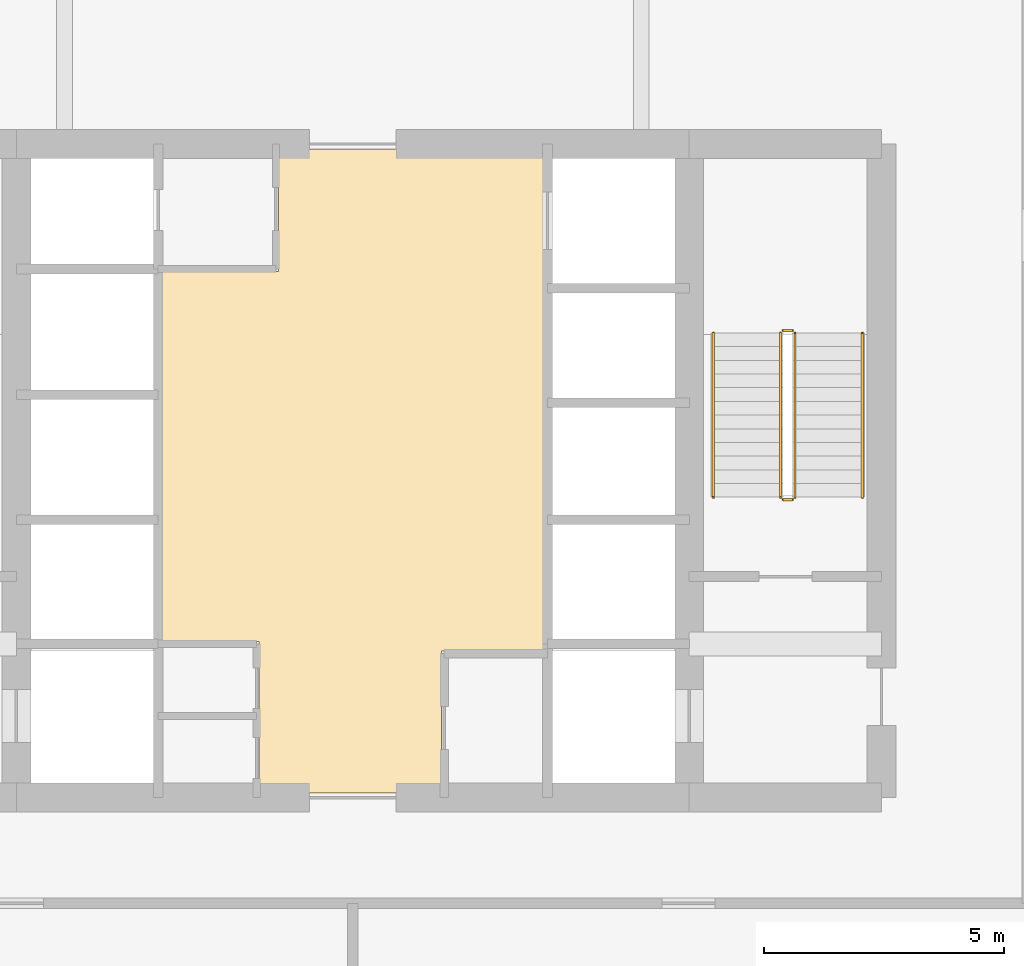
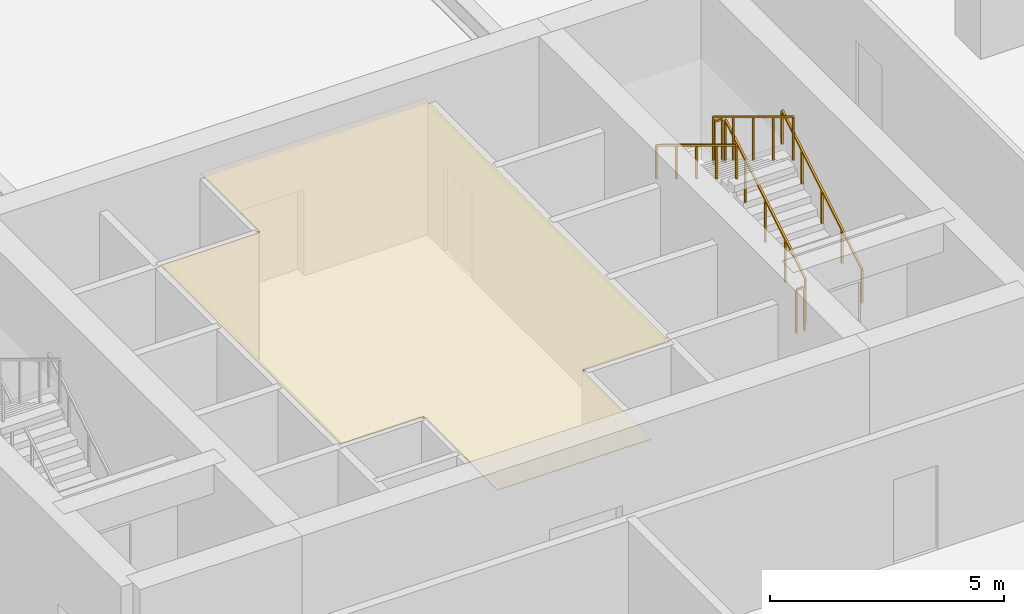
# One storey, part 9 of 11: 6 railings, 1 covering.
"""IFC4 building model written with IfcOpenShell, lengths in metres."""

from ifc_helpers import new_model, si_unit, direction, frame, origin, origin_2d, place, context, subcontext, project, spatial, polyline, rectangle, outline, extrude, material, layer, layer_set, type_object, element, save


model = new_model("IFC4")

# Units and contexts
model_context = context("Model", 3, precision=1e-05, world=origin(), true_north=direction((0.0, 1.0)))
body_context = subcontext(model_context, "Body", "Model", "MODEL_VIEW")
ifc_project = project(units=[si_unit("LENGTHUNIT", "METRE"), si_unit("AREAUNIT", "SQUARE_METRE"), si_unit("VOLUMEUNIT", "CUBIC_METRE"), si_unit("PLANEANGLEUNIT", "RADIAN"), si_unit("MASSUNIT", "GRAM", prefix="KILO")], contexts=[model_context])

# Site, building, storey
site_placement = place(None, origin())
site = spatial("IfcSite", under=ifc_project, at=site_placement, CompositionType="ELEMENT")
building_placement = place(site_placement, origin())
building = spatial("IfcBuilding", under=site, at=building_placement, Name="Sarneth Arch Tower", CompositionType="ELEMENT")
storey_placement = place(building_placement, frame((0.0, 0.0, -4.5)))
storey = spatial("IfcBuildingStorey", under=building, at=storey_placement, Name="B01", CompositionType="ELEMENT", Elevation=-4.5)

# Covering
ifc_material_1 = material(Name="Perforated acoustic gypsum ceiling board")
ifc_layer = layer(ifc_material_1, 0.02490234375)
ifc_layer_set = layer_set([ifc_layer], Name="Perforated acoustic gypsum ceiling board")
covering_type = type_object("IfcCoveringType", Name="COV-CEIL-GYP", PredefinedType="CEILING", material=ifc_layer_set)
covering_placement = place(storey_placement, frame((0.0, 0.0, 3.389892578125)))
element("IfcCovering", 1, at=covering_placement, inside=storey, type_object=covering_type, Name="B01 Lift lobby acoustic ceiling", PredefinedType="CEILING", context=body_context, shape_type="SweptSolid", body=[
    extrude(outline(polyline([(49.85009765625, 38.25), (49.85009765625, 35.300048828125), (46.050048828125, 35.300048828125), (46.050048828125, 38.449951171875), (44.0, 38.449951171875), (44.0, 46.14990234375), (46.449951171875, 46.14990234375), (46.449951171875, 48.699951171875), (52.0, 48.699951171875), (52.0, 38.25), (49.85009765625, 38.25)])), origin(), (0.0, 0.0, 1.0), 0.030029296875),
])

# Railings
ifc_material_2 = material(Name="Brushed Stainless Steel 304 tubular handrail", Category="steel")
railing_type_1 = type_object("IfcRailingType", Name="RAIL-HANDRAIL-900", PredefinedType="HANDRAIL", material=ifc_material_2)
railing_1_placement = place(storey_placement, frame((58.60009765625, 41.449951171875, 0.173095703125)))
element("IfcRailing", 2, at=railing_1_placement, inside=storey, type_object=railing_type_1, Name="B01 ST-2 stair handrail 1", PredefinedType="HANDRAIL", context=body_context, shape_type="SweptSolid", body=[
    extrude(rectangle(XDim=0.048095703125, YDim=0.048095703125, at=origin_2d()), frame((0.0, 0.0, 0.8759765625), z_axis=(0.0, 0.854745945586, 0.519046595696), x_axis=(-1.0, 0.0, 0.0)), (0.0, 0.0, 1.0), 4.00146484375),
    extrude(rectangle(XDim=0.0419921875, YDim=0.0419921875, at=origin_2d()), origin(), (0.0, 0.0, 1.0), 0.851806640625),
    extrude(rectangle(XDim=0.0419921875, YDim=0.0419921875, at=origin_2d()), frame((0.0, 0.85498046875, 0.519287109375)), (0.0, 0.0, 1.0), 0.851806640625),
    extrude(rectangle(XDim=0.0419921875, YDim=0.0419921875, at=origin_2d()), frame((0.0, 1.7099609375, 1.03857421875)), (0.0, 0.0, 1.0), 0.851806640625),
    extrude(rectangle(XDim=0.0419921875, YDim=0.0419921875, at=origin_2d()), frame((0.0, 2.565185546875, 1.5576171875)), (0.0, 0.0, 1.0), 0.851806640625),
    extrude(rectangle(XDim=0.0419921875, YDim=0.0419921875, at=origin_2d()), frame((0.0, 3.420166015625, 2.076904296875)), (0.0, 0.0, 1.0), 0.851806640625),
])
railing_2_placement = place(storey_placement, frame((55.5, 44.8701171875, 2.423095703125)))
element("IfcRailing", 3, at=railing_2_placement, inside=storey, type_object=railing_type_1, Name="B01 ST-2 stair handrail 2", PredefinedType="HANDRAIL", context=body_context, shape_type="SweptSolid", body=[
    extrude(rectangle(XDim=0.048095703125, YDim=0.048095703125, at=origin_2d()), frame((0.0, 0.0, 0.8759765625), z_axis=(0.0, -0.854745945586, 0.519046595696), x_axis=(1.0, 0.0, 0.0)), (0.0, 0.0, 1.0), 4.00146484375),
    extrude(rectangle(XDim=0.0419921875, YDim=0.0419921875, at=origin_2d()), origin(), (0.0, 0.0, 1.0), 0.851806640625),
    extrude(rectangle(XDim=0.0419921875, YDim=0.0419921875, at=origin_2d()), frame((0.0, -0.85498046875, 0.519287109375)), (0.0, 0.0, 1.0), 0.851806640625),
    extrude(rectangle(XDim=0.0419921875, YDim=0.0419921875, at=origin_2d()), frame((0.0, -1.7099609375, 1.03857421875)), (0.0, 0.0, 1.0), 0.851806640625),
    extrude(rectangle(XDim=0.0419921875, YDim=0.0419921875, at=origin_2d()), frame((0.0, -2.565185546875, 1.5576171875)), (0.0, 0.0, 1.0), 0.851806640625),
    extrude(rectangle(XDim=0.0419921875, YDim=0.0419921875, at=origin_2d()), frame((0.0, -3.420166015625, 2.076904296875)), (0.0, 0.0, 1.0), 0.851806640625),
])
ifc_material_3 = material(Name="Painted Steel S275 stair well guard", Category="steel")
railing_type_2 = type_object("IfcRailingType", Name="RAIL-STAIR-GUARD", PredefinedType="GUARDRAIL", material=ifc_material_3)
railing_3_placement = place(storey_placement, frame((57.199951171875, 41.449951171875, 0.173095703125)))
element("IfcRailing", 4, at=railing_3_placement, inside=storey, type_object=railing_type_2, Name="B01 ST-2 stair guard 1", PredefinedType="GUARDRAIL", context=body_context, shape_type="SweptSolid", body=[
    extrude(rectangle(XDim=0.048095703125, YDim=0.048095703125, at=origin_2d()), frame((0.0, 0.0, 1.1259765625), z_axis=(0.0, 0.854745945586, 0.519046595696), x_axis=(-1.0, 0.0, 0.0)), (0.0, 0.0, 1.0), 4.00146484375),
    extrude(rectangle(XDim=0.0419921875, YDim=0.0419921875, at=origin_2d()), origin(), (0.0, 0.0, 1.0), 1.101806640625),
    extrude(rectangle(XDim=0.0419921875, YDim=0.0419921875, at=origin_2d()), frame((0.0, 0.85498046875, 0.519287109375)), (0.0, 0.0, 1.0), 1.101806640625),
    extrude(rectangle(XDim=0.0419921875, YDim=0.0419921875, at=origin_2d()), frame((0.0, 1.7099609375, 1.03857421875)), (0.0, 0.0, 1.0), 1.101806640625),
    extrude(rectangle(XDim=0.0419921875, YDim=0.0419921875, at=origin_2d()), frame((0.0, 2.565185546875, 1.5576171875)), (0.0, 0.0, 1.0), 1.101806640625),
    extrude(rectangle(XDim=0.0419921875, YDim=0.0419921875, at=origin_2d()), frame((0.0, 3.420166015625, 2.076904296875)), (0.0, 0.0, 1.0), 1.101806640625),
])
railing_4_placement = place(storey_placement, frame((57.14990234375, 44.919921875, 2.25)))
element("IfcRailing", 5, at=railing_4_placement, inside=storey, type_object=railing_type_2, Name="B01 ST-2 stair guard 2", PredefinedType="GUARDRAIL", context=body_context, shape_type="SweptSolid", body=[
    extrude(rectangle(XDim=0.048095703125, YDim=0.048095703125, at=origin_2d()), frame((0.0, 0.0, 1.1259765625), z_axis=(-1.0, 0.0, 0.0), x_axis=(0.0, -1.0, 0.0)), (0.0, 0.0, 1.0), 0.199951171875),
    extrude(rectangle(XDim=0.0419921875, YDim=0.0419921875, at=origin_2d()), origin(), (0.0, 0.0, 1.0), 1.101806640625),
    extrude(rectangle(XDim=0.0419921875, YDim=0.0419921875, at=origin_2d()), frame((-0.199951171875, 0.0, 0.0)), (0.0, 0.0, 1.0), 1.101806640625),
])
railing_5_placement = place(storey_placement, frame((56.89990234375, 44.8701171875, 2.423095703125)))
element("IfcRailing", 6, at=railing_5_placement, inside=storey, type_object=railing_type_2, Name="B01 ST-2 stair guard 3", PredefinedType="GUARDRAIL", context=body_context, shape_type="SweptSolid", body=[
    extrude(rectangle(XDim=0.048095703125, YDim=0.048095703125, at=origin_2d()), frame((0.0, 0.0, 1.1259765625), z_axis=(0.0, -0.854745945586, 0.519046595696), x_axis=(1.0, 0.0, 0.0)), (0.0, 0.0, 1.0), 4.00146484375),
    extrude(rectangle(XDim=0.0419921875, YDim=0.0419921875, at=origin_2d()), origin(), (0.0, 0.0, 1.0), 1.101806640625),
    extrude(rectangle(XDim=0.0419921875, YDim=0.0419921875, at=origin_2d()), frame((0.0, -0.85498046875, 0.519287109375)), (0.0, 0.0, 1.0), 1.101806640625),
    extrude(rectangle(XDim=0.0419921875, YDim=0.0419921875, at=origin_2d()), frame((0.0, -1.7099609375, 1.03857421875)), (0.0, 0.0, 1.0), 1.101806640625),
    extrude(rectangle(XDim=0.0419921875, YDim=0.0419921875, at=origin_2d()), frame((0.0, -2.565185546875, 1.5576171875)), (0.0, 0.0, 1.0), 1.101806640625),
    extrude(rectangle(XDim=0.0419921875, YDim=0.0419921875, at=origin_2d()), frame((0.0, -3.420166015625, 2.076904296875)), (0.0, 0.0, 1.0), 1.101806640625),
])
railing_6_placement = place(storey_placement, frame((57.14990234375, 41.39990234375, 0.0)))
element("IfcRailing", 7, at=railing_6_placement, inside=storey, type_object=railing_type_2, Name="B01 ST-2 stair guard 4", PredefinedType="GUARDRAIL", context=body_context, shape_type="SweptSolid", body=[
    extrude(rectangle(XDim=0.048095703125, YDim=0.048095703125, at=origin_2d()), frame((0.0, 0.0, 1.1259765625), z_axis=(-1.0, 0.0, 0.0), x_axis=(0.0, -1.0, 0.0)), (0.0, 0.0, 1.0), 0.199951171875),
    extrude(rectangle(XDim=0.0419921875, YDim=0.0419921875, at=origin_2d()), origin(), (0.0, 0.0, 1.0), 1.101806640625),
    extrude(rectangle(XDim=0.0419921875, YDim=0.0419921875, at=origin_2d()), frame((-0.199951171875, 0.0, 0.0)), (0.0, 0.0, 1.0), 1.101806640625),
])

save(model, "model.ifc")
